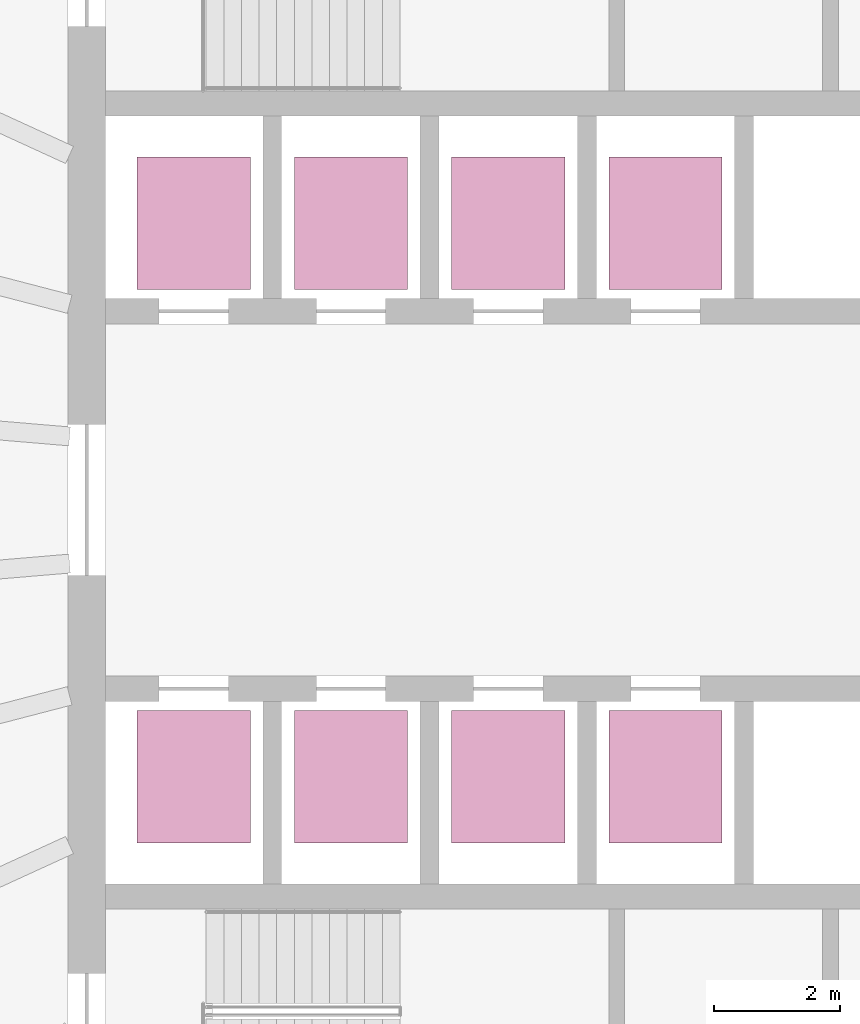
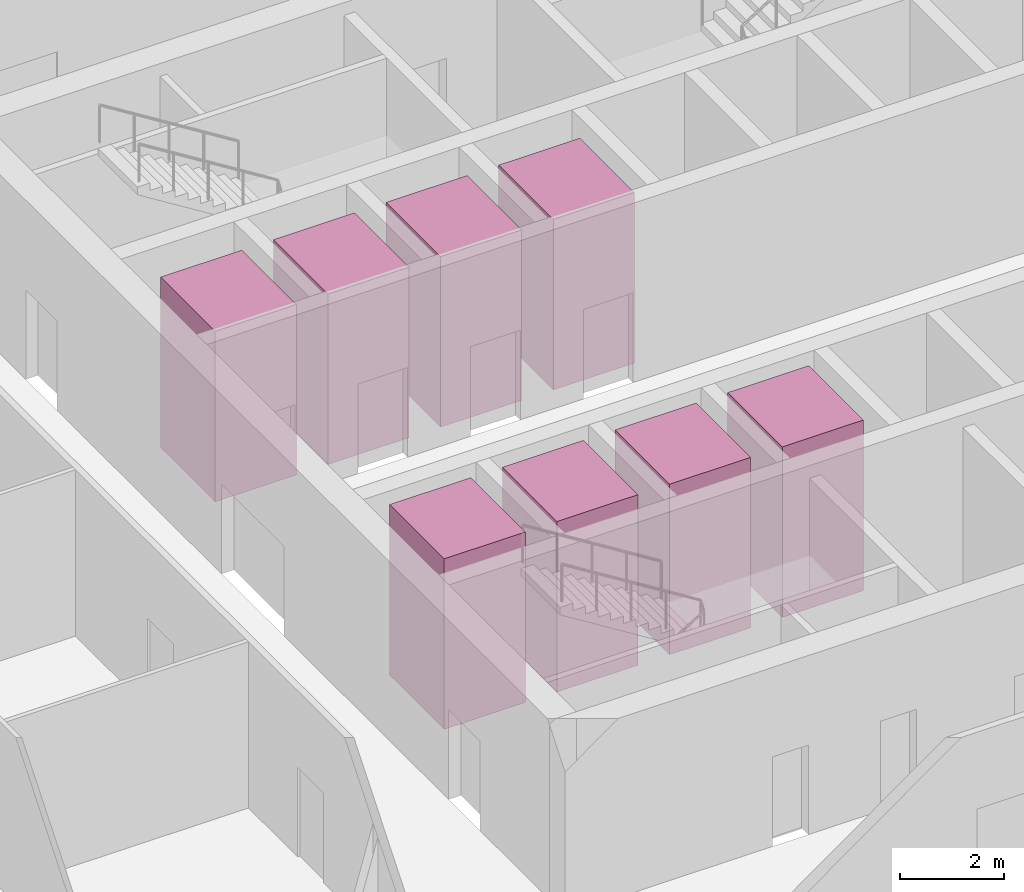
# One storey, part 10 of 10: 8 transport elements.
"""IFC4 building model written with IfcOpenShell, lengths in metres."""

from ifc_helpers import new_model, si_unit, direction, frame, origin, origin_2d, place, context, subcontext, project, spatial, rectangle, extrude, material, type_object, element, save


model = new_model("IFC4")

# Units and contexts
model_context = context("Model", 3, precision=1e-05, world=origin(), true_north=direction((0.0, 1.0)))
body_context = subcontext(model_context, "Body", "Model", "MODEL_VIEW")
ifc_project = project(units=[si_unit("LENGTHUNIT", "METRE"), si_unit("AREAUNIT", "SQUARE_METRE"), si_unit("VOLUMEUNIT", "CUBIC_METRE"), si_unit("PLANEANGLEUNIT", "RADIAN"), si_unit("MASSUNIT", "GRAM", prefix="KILO")], contexts=[model_context])

# Site, building, storey
site_placement = place(None, origin())
site = spatial("IfcSite", under=ifc_project, at=site_placement, CompositionType="ELEMENT")
building_placement = place(site_placement, origin())
building = spatial("IfcBuilding", under=site, at=building_placement, Name="Halqa Exchange Tower", CompositionType="ELEMENT")
storey_placement = place(building_placement, frame((0.0, 0.0, 112.89990234375)))
storey = spatial("IfcBuildingStorey", under=building, at=storey_placement, Name="L25", CompositionType="ELEMENT", Elevation=112.89990234375)

# Transport elements
ifc_material = material(Name="Stainless steel", Category="steel")
transport_element_type = type_object("IfcTransportElementType", Name="Low-rise passenger lift 1800 x 2100", PredefinedType="ELEVATOR", material=ifc_material)
for number, where, z_axis, x_axis, name in (
    (1, (-10.0, 4.39990234375, 0.0), (0.0, 0.0, 1.0), (1.0, 0.0, 0.0), "Low-rise passenger lift LR1"),
    (2, (-7.5, 4.39990234375, 0.0), (0.0, 0.0, 1.0), (1.0, 0.0, 0.0), "Low-rise passenger lift LR2"),
    (3, (-5.0, 4.39990234375, 0.0), (0.0, 0.0, 1.0), (1.0, 0.0, 0.0), "Low-rise passenger lift LR3"),
    (4, (-2.5, 4.39990234375, 0.0), (0.0, 0.0, 1.0), (1.0, 0.0, 0.0), "Low-rise passenger lift LR4"),
    (5, (-10.0, -4.39990234375, 0.0), (0.0, 0.0, 1.0), (1.0, 0.0, 0.0), "Low-rise passenger lift LR5"),
    (6, (-7.5, -4.39990234375, 0.0), (0.0, 0.0, 1.0), (1.0, 0.0, 0.0), "Low-rise passenger lift LR6"),
    (7, (-5.0, -4.39990234375, 0.0), (0.0, 0.0, 1.0), (1.0, 0.0, 0.0), "Low-rise passenger lift LR7"),
    (8, (-2.5, -4.39990234375, 0.0), (0.0, 0.0, 1.0), (1.0, 0.0, 0.0), "Low-rise passenger lift LR8"),
):
    element("IfcTransportElement", number, at=place(storey_placement, frame(where, z_axis=z_axis, x_axis=x_axis)), inside=storey, type_object=transport_element_type, Name=name, PredefinedType="ELEVATOR", context=body_context, shape_type="SweptSolid", body=[
        extrude(rectangle(XDim=1.800048828125, YDim=2.10009765625, at=origin_2d()), origin(), (0.0, 0.0, 1.0), 4.0),
    ])

save(model, "model.ifc")
